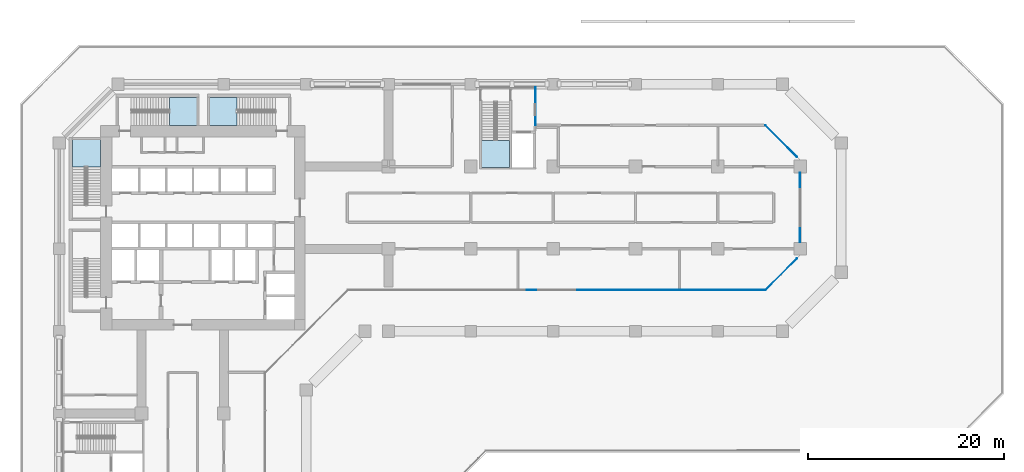
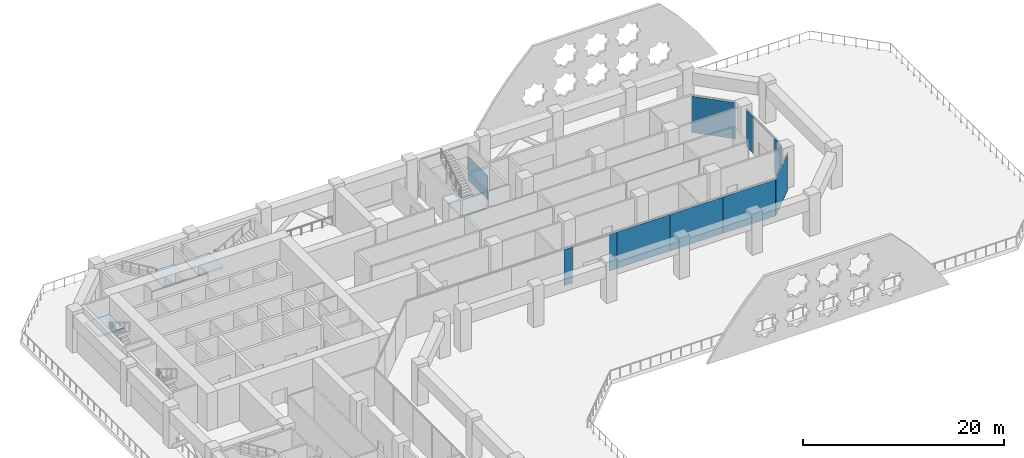
# One storey, part 5 of 19: 10 plates, 4 slabs, 9 elements without a shape of their own.
"""IFC4 building model written with IfcOpenShell, lengths in metres."""

from ifc_helpers import new_model, si_unit, direction, frame, origin, origin_2d, place, context, subcontext, project, spatial, polyline, rectangle, outline, extrude, material, layer, layer_set, type_object, element, aggregate, save


model = new_model("IFC4")

# Units and contexts
model_context = context("Model", 3, precision=1e-05, world=origin(), true_north=direction((0.0, 1.0)))
body_context = subcontext(model_context, "Body", "Model", "MODEL_VIEW")
ifc_project = project(units=[si_unit("LENGTHUNIT", "METRE"), si_unit("AREAUNIT", "SQUARE_METRE"), si_unit("VOLUMEUNIT", "CUBIC_METRE"), si_unit("PLANEANGLEUNIT", "RADIAN"), si_unit("MASSUNIT", "GRAM", prefix="KILO")], contexts=[model_context])

# Site, building, storey
site_placement = place(None, origin())
site = spatial("IfcSite", under=ifc_project, at=site_placement, CompositionType="ELEMENT")
building_placement = place(site_placement, origin())
building = spatial("IfcBuilding", under=site, at=building_placement, Name="Kawkab Arch Medical Tower", CompositionType="ELEMENT")
storey_placement = place(building_placement, frame((0.0, 0.0, 34.199951171875)))
storey = spatial("IfcBuildingStorey", under=building, at=storey_placement, Name="L07", CompositionType="ELEMENT", Elevation=34.199951171875)

# Curtain wall, plates
ifc_material_1 = material(Name="Bronze anodised aluminium curtain wall frame", Category="aluminium")
ifc_layer_1 = layer(ifc_material_1, 0.159912109375)
ifc_layer_set_1 = layer_set([ifc_layer_1], Name="Bronze anodised aluminium curtain wall frame")
curtain_wall_type = type_object("IfcCurtainWallType", Name="CW4 refuge floor fire-protected glazing", PredefinedType="NOTDEFINED", material=ifc_layer_set_1)
placement_1 = place(storey_placement, origin())
curtain_wall_1 = element("IfcCurtainWall", 1, at=placement_1, inside=storey, type_object=curtain_wall_type, Name="CW4 Refuge floor fire-protected glazing R11", PredefinedType="NOTDEFINED")
ifc_material_2 = material(Name="Fire-resisting laminated glass", Category="glass")
ifc_layer_2 = layer(ifc_material_2, 0.0400390625)
ifc_layer_set_2 = layer_set([ifc_layer_2], Name="Fire-resisting laminated glass")
plate_type = type_object("IfcPlateType", Name="CW4 glazing unit 40", PredefinedType="CURTAIN_PANEL", material=ifc_layer_set_2)
plate_1_placement = place(storey_placement, frame((48.1884765625, -21.0, 0.0), z_axis=(0.0, 0.0, 1.0), x_axis=(1.0, 0.0, 0.0)))
plate_1 = element("IfcPlate", 2, at=plate_1_placement, type_object=plate_type, Name="CW4 glazing unit 4.1", PredefinedType="CURTAIN_PANEL", context=body_context, shape_type="SweptSolid", body=[
    extrude(rectangle(XDim=0.94287109375, YDim=0.0400390625, at=origin_2d()), origin(), (0.0, 0.0, 1.0), 4.419921875),
])
plate_2_placement = place(storey_placement, frame((53.33154296875, -21.0, 0.0), z_axis=(0.0, 0.0, 1.0), x_axis=(1.0, 0.0, 0.0)))
plate_2 = element("IfcPlate", 3, at=plate_2_placement, type_object=plate_type, Name="CW4 glazing unit 4.3", PredefinedType="CURTAIN_PANEL", context=body_context, shape_type="SweptSolid", body=[
    extrude(rectangle(XDim=0.94287109375, YDim=0.0400390625, at=origin_2d()), origin(), (0.0, 0.0, 1.0), 4.419921875),
])
plate_3_placement = place(storey_placement, frame((56.845703125, -21.0, 0.0), z_axis=(0.0, 0.0, 1.0), x_axis=(1.0, 0.0, 0.0)))
plate_3 = element("IfcPlate", 4, at=plate_3_placement, type_object=plate_type, Name="CW4 glazing unit 5.1", PredefinedType="CURTAIN_PANEL", context=body_context, shape_type="SweptSolid", body=[
    extrude(rectangle(XDim=6.085693359375, YDim=0.0400390625, at=origin_2d()), origin(), (0.0, 0.0, 1.0), 4.419921875),
])
plate_4_placement = place(storey_placement, frame((62.931396484375, -21.0, 0.0), z_axis=(0.0, 0.0, 1.0), x_axis=(1.0, 0.0, 0.0)))
plate_4 = element("IfcPlate", 5, at=plate_4_placement, type_object=plate_type, Name="CW4 glazing unit 6.1", PredefinedType="CURTAIN_PANEL", context=body_context, shape_type="SweptSolid", body=[
    extrude(rectangle(XDim=6.085693359375, YDim=0.0400390625, at=origin_2d()), origin(), (0.0, 0.0, 1.0), 4.419921875),
])
plate_5_placement = place(storey_placement, frame((69.01708984375, -21.0, 0.0), z_axis=(0.0, 0.0, 1.0), x_axis=(1.0, 0.0, 0.0)))
plate_5 = element("IfcPlate", 6, at=plate_5_placement, type_object=plate_type, Name="CW4 glazing unit 7.1", PredefinedType="CURTAIN_PANEL", context=body_context, shape_type="SweptSolid", body=[
    extrude(rectangle(XDim=6.085693359375, YDim=0.0400390625, at=origin_2d()), origin(), (0.0, 0.0, 1.0), 4.419921875),
])
aggregate(curtain_wall_1, [plate_1, plate_2, plate_3, plate_4, plate_5])

# Curtain wall, plate
curtain_wall_2 = element("IfcCurtainWall", 7, at=placement_1, inside=storey, type_object=curtain_wall_type, Name="CW4 Refuge floor fire-protected glazing R12", PredefinedType="NOTDEFINED")
plate_6_placement = place(storey_placement, frame((73.669921875, -19.389892578125, 0.0), z_axis=(0.0, 0.0, 1.0), x_axis=(0.707106781187, 0.707106781187, 0.0)))
plate_6 = element("IfcPlate", 8, at=plate_6_placement, type_object=plate_type, Name="CW4 glazing unit 1.1", PredefinedType="CURTAIN_PANEL", context=body_context, shape_type="SweptSolid", body=[
    extrude(rectangle(XDim=4.5537109375, YDim=0.0400390625, at=origin_2d()), origin(), (0.0, 0.0, 1.0), 4.419921875),
])
aggregate(curtain_wall_2, [plate_6])

# Curtain wall, plates
curtain_wall_3 = element("IfcCurtainWall", 9, at=placement_1, inside=storey, type_object=curtain_wall_type, Name="CW4 Refuge floor fire-protected glazing R13", PredefinedType="NOTDEFINED")
plate_7_placement = place(storey_placement, frame((75.60009765625, -15.425048828125, 0.0), z_axis=(0.0, 0.0, 1.0), x_axis=(0.0, 1.0, 0.0)))
plate_7 = element("IfcPlate", 10, at=plate_7_placement, type_object=plate_type, Name="CW4 glazing unit 1.1", PredefinedType="CURTAIN_PANEL", context=body_context, shape_type="SweptSolid", body=[
    extrude(rectangle(XDim=1.449951171875, YDim=0.0400390625, at=origin_2d()), origin(), (0.0, 0.0, 1.0), 4.419921875),
])
plate_8_placement = place(storey_placement, frame((75.60009765625, -9.77490234375, 0.0), z_axis=(0.0, 0.0, 1.0), x_axis=(0.0, 1.0, 0.0)))
plate_8 = element("IfcPlate", 11, at=plate_8_placement, type_object=plate_type, Name="CW4 glazing unit 1.3", PredefinedType="CURTAIN_PANEL", context=body_context, shape_type="SweptSolid", body=[
    extrude(rectangle(XDim=1.449951171875, YDim=0.0400390625, at=origin_2d()), origin(), (0.0, 0.0, 1.0), 4.419921875),
])
aggregate(curtain_wall_3, [plate_7, plate_8])

# Curtain wall, plate
curtain_wall_4 = element("IfcCurtainWall", 12, at=placement_1, inside=storey, type_object=curtain_wall_type, Name="CW4 Refuge floor fire-protected glazing R14", PredefinedType="NOTDEFINED")
plate_9_placement = place(storey_placement, frame((73.669921875, -5.81005859375, 0.0), z_axis=(0.0, 0.0, 1.0), x_axis=(-0.707106781187, 0.707106781187, 0.0)))
plate_9 = element("IfcPlate", 13, at=plate_9_placement, type_object=plate_type, Name="CW4 glazing unit 1.1", PredefinedType="CURTAIN_PANEL", context=body_context, shape_type="SweptSolid", body=[
    extrude(rectangle(XDim=4.5537109375, YDim=0.0400390625, at=origin_2d()), origin(), (0.0, 0.0, 1.0), 4.419921875),
])
aggregate(curtain_wall_4, [plate_9])

curtain_wall_5 = element("IfcCurtainWall", 14, at=placement_1, inside=storey, type_object=curtain_wall_type, Name="CW4 Refuge floor fire-protected glazing R16", PredefinedType="NOTDEFINED")
plate_10_placement = place(storey_placement, frame((48.60107421875, -2.25, 0.0), z_axis=(0.0, 0.0, 1.0), x_axis=(0.0, 1.0, 0.0)))
plate_10 = element("IfcPlate", 15, at=plate_10_placement, type_object=plate_type, Name="CW4 glazing unit 1.1", PredefinedType="CURTAIN_PANEL", context=body_context, shape_type="SweptSolid", body=[
    extrude(rectangle(XDim=3.89990234375, YDim=0.0400390625, at=origin_2d()), origin(), (0.0, 0.0, 1.0), 2.919921875),
])
aggregate(curtain_wall_5, [plate_10])

# Stair, slab
ifc_material_3 = material(Name="Concrete C40/50", Category="concrete")
stair_type = type_object("IfcStairType", Name="Exit stair 1350", PredefinedType="HALF_TURN_STAIR", material=ifc_material_3)
stair_1 = element("IfcStair", 16, at=placement_1, inside=storey, type_object=stair_type, Name="L07 Exit stair ST1", PredefinedType="HALF_TURN_STAIR")
ifc_material_4 = material(Name="Concrete C40/50", Category="concrete")
ifc_layer_3 = layer(ifc_material_4, 0.199951171875)
ifc_layer_set_3 = layer_set([ifc_layer_3], Name="Concrete C40/50")
slab_type = type_object("IfcSlabType", Name="Exit stair landing 200", PredefinedType="LANDING", material=ifc_layer_set_3)
placement_2 = place(storey_placement, frame((0.0, 0.0, 2.300048828125)))
slab_1 = element("IfcSlab", 17, at=placement_2, type_object=slab_type, Name="ST1 landing 1", PredefinedType="LANDING", context=body_context, shape_type="SweptSolid", body=[
    extrude(outline(polyline([(4.199951171875, -8.429931640625), (4.199951171875, -5.64990234375), (1.35009765625, -5.64990234375), (1.35009765625, -8.429931640625), (4.199951171875, -8.429931640625)])), origin(), (0.0, 0.0, 1.0), 0.199951171875),
])
aggregate(stair_1, [slab_1])

stair_2 = element("IfcStair", 18, at=placement_1, inside=storey, type_object=stair_type, Name="L07 Exit stair ST3", PredefinedType="HALF_TURN_STAIR")
slab_2 = element("IfcSlab", 19, at=placement_2, type_object=slab_type, Name="ST3 landing 1", PredefinedType="LANDING", context=body_context, shape_type="SweptSolid", body=[
    extrude(outline(polyline([(11.27001953125, -4.199951171875), (14.050048828125, -4.199951171875), (14.050048828125, -1.35009765625), (11.27001953125, -1.35009765625), (11.27001953125, -4.199951171875)])), origin(), (0.0, 0.0, 1.0), 0.199951171875),
])
aggregate(stair_2, [slab_2])

stair_3 = element("IfcStair", 20, at=placement_1, inside=storey, type_object=stair_type, Name="L07 Exit stair ST4", PredefinedType="HALF_TURN_STAIR")
slab_3 = element("IfcSlab", 21, at=placement_2, type_object=slab_type, Name="ST4 landing 1", PredefinedType="LANDING", context=body_context, shape_type="SweptSolid", body=[
    extrude(outline(polyline([(18.1298828125, -1.35009765625), (15.35009765625, -1.35009765625), (15.35009765625, -4.199951171875), (18.1298828125, -4.199951171875), (18.1298828125, -1.35009765625)])), origin(), (0.0, 0.0, 1.0), 0.199951171875),
])
aggregate(stair_3, [slab_3])

stair_4 = element("IfcStair", 22, at=placement_1, inside=storey, type_object=stair_type, Name="L07 Exit stair ST5", PredefinedType="HALF_TURN_STAIR")
slab_4 = element("IfcSlab", 23, at=placement_2, type_object=slab_type, Name="ST5 landing 1", PredefinedType="LANDING", context=body_context, shape_type="SweptSolid", body=[
    extrude(outline(polyline([(43.10009765625, -5.719970703125), (43.10009765625, -8.5), (45.949951171875, -8.5), (45.949951171875, -5.719970703125), (43.10009765625, -5.719970703125)])), origin(), (0.0, 0.0, 1.0), 0.199951171875),
])
aggregate(stair_4, [slab_4])

save(model, "model.ifc")
